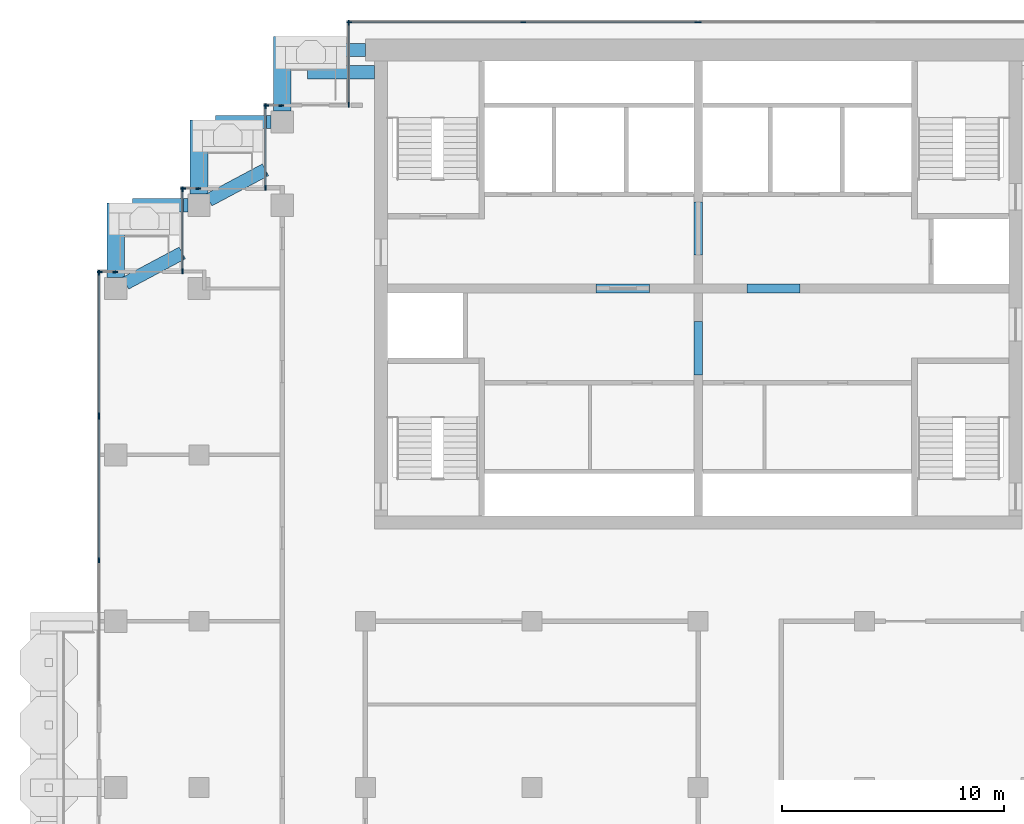
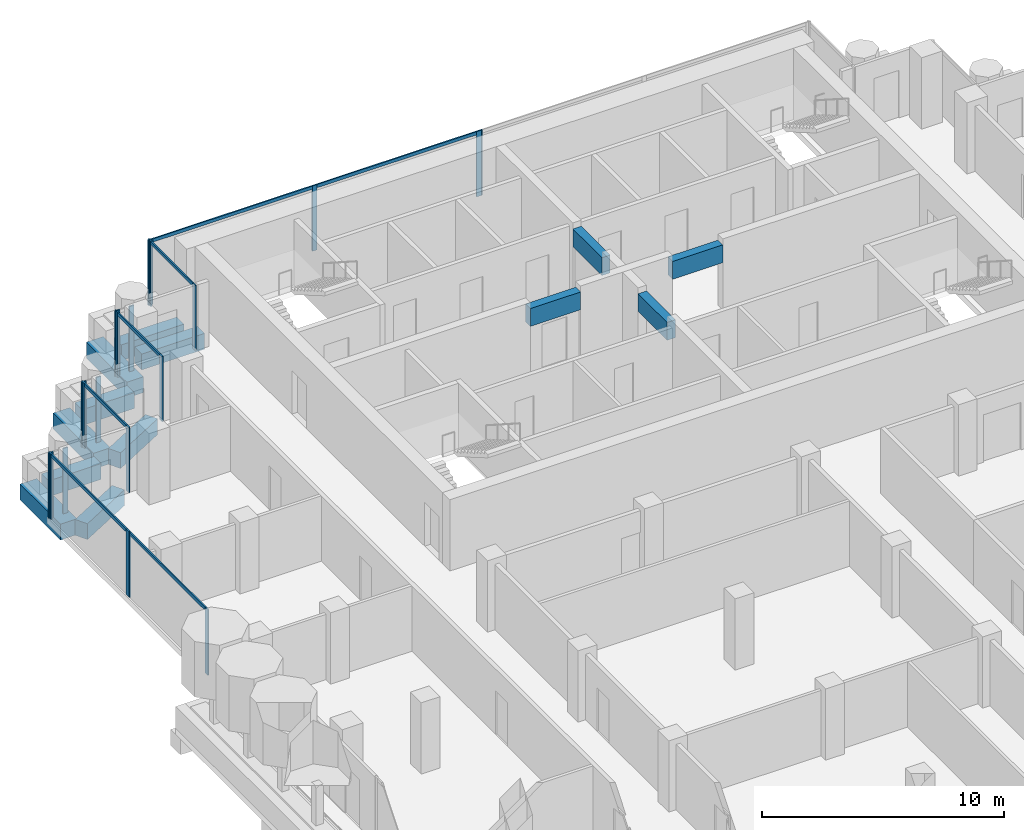
# One storey, part 5 of 18: 27 members, 13 beams, 10 elements without a shape of their own.
"""IFC4 building model written with IfcOpenShell, lengths in metres."""

from ifc_helpers import new_model, si_unit, direction, frame, origin, origin_2d, place, context, subcontext, project, spatial, rectangle, extrude, material, material_profile, profile_set, type_object, element, aggregate, save


model = new_model("IFC4")

# Units and contexts
model_context = context("Model", 3, precision=1e-05, world=origin(), true_north=direction((0.0, 1.0)))
body_context = subcontext(model_context, "Body", "Model", "MODEL_VIEW")
ifc_project = project(units=[si_unit("LENGTHUNIT", "METRE"), si_unit("AREAUNIT", "SQUARE_METRE"), si_unit("VOLUMEUNIT", "CUBIC_METRE"), si_unit("PLANEANGLEUNIT", "RADIAN"), si_unit("MASSUNIT", "GRAM", prefix="KILO")], contexts=[model_context])

# Site, building, storey
site_placement = place(None, origin())
site = spatial("IfcSite", under=ifc_project, at=site_placement, CompositionType="ELEMENT")
building_placement = place(site_placement, origin())
building = spatial("IfcBuilding", under=site, at=building_placement, Name="Pilkhan Gate Tower", CompositionType="ELEMENT")
storey_placement = place(building_placement, frame((0.0, 0.0, 195.89990234375)))
storey = spatial("IfcBuildingStorey", under=building, at=storey_placement, Name="L50", CompositionType="ELEMENT", Elevation=195.89990234375)

# Beams
ifc_material_1 = material(Name="Concrete C50/60", Category="concrete")
ifc_material_profile_1 = material_profile(ifc_material_1, rectangle(XDim=0.60009765625, YDim=0.800048828125, at=origin_2d()), Name="RC 600x800")
ifc_profile_set_1 = profile_set([ifc_material_profile_1], Name="Concrete C50/60")
beam_type_1 = type_object("IfcBeamType", Name="Cantilever beam CB1 RC 600x800 C50/60", PredefinedType="BEAM", material=ifc_profile_set_1)
for number, where, z_axis, x_axis, name in (
    (1, (60.0, 93.25, -0.699951171875), (-1.0, 0.0, 0.0), (0.0, -1.0, 0.0), "Balcony beam NW.2 L50"),
    (2, (60.39990234375, 92.25, -0.699951171875), (-1.0, 0.0, 0.0), (0.0, -1.0, 0.0), "Balcony beam NW.3 L50"),
):
    element("IfcBeam", number, at=place(storey_placement, frame(where, z_axis=z_axis, x_axis=x_axis)), inside=storey, type_object=beam_type_1, Name=name, PredefinedType="BEAM", context=body_context, shape_type="SweptSolid", body=[
        extrude(rectangle(XDim=0.60009765625, YDim=0.800048828125, at=origin_2d()), origin(), (0.0, 0.0, 1.0), 3.0),
    ])
beam_1_placement = place(storey_placement, frame((55.75, 90.0, -0.699951171875), z_axis=(-1.0, 0.0, 0.0), x_axis=(0.0, -1.0, 0.0)))
element("IfcBeam", 3, at=beam_1_placement, inside=storey, type_object=beam_type_1, Name="Balcony beam NW1.2 L50", PredefinedType="BEAM", context=body_context, shape_type="SweptSolid", body=[
    extrude(rectangle(XDim=0.60009765625, YDim=0.800048828125, at=origin_2d()), origin(), (0.0, 0.0, 1.0), 2.5),
])
beam_2_placement = place(storey_placement, frame((52.941162109375, 86.4853515625, -0.699951171875), z_axis=(0.882348280344, 0.470596974251, 0.0), x_axis=(-0.470596974251, 0.882348280344, 0.0)))
element("IfcBeam", 4, at=beam_2_placement, inside=storey, type_object=beam_type_1, Name="Balcony beam NW1.3 L50", PredefinedType="BEAM", context=body_context, shape_type="SweptSolid", body=[
    extrude(rectangle(XDim=0.60009765625, YDim=0.800048828125, at=origin_2d()), origin(), (0.0, 0.0, 1.0), 2.900146484375),
])
beam_3_placement = place(storey_placement, frame((52.0, 86.25, -0.699951171875), z_axis=(-1.0, 0.0, 0.0), x_axis=(0.0, -1.0, 0.0)))
element("IfcBeam", 5, at=beam_3_placement, inside=storey, type_object=beam_type_1, Name="Balcony beam NW2.2 L50", PredefinedType="BEAM", context=body_context, shape_type="SweptSolid", body=[
    extrude(rectangle(XDim=0.60009765625, YDim=0.800048828125, at=origin_2d()), origin(), (0.0, 0.0, 1.0), 2.5),
])
beam_4_placement = place(storey_placement, frame((49.191162109375, 82.7353515625, -0.699951171875), z_axis=(0.882348280344, 0.470596974251, 0.0), x_axis=(-0.470596974251, 0.882348280344, 0.0)))
element("IfcBeam", 6, at=beam_4_placement, inside=storey, type_object=beam_type_1, Name="Balcony beam NW2.3 L50", PredefinedType="BEAM", context=body_context, shape_type="SweptSolid", body=[
    extrude(rectangle(XDim=0.60009765625, YDim=0.800048828125, at=origin_2d()), origin(), (0.0, 0.0, 1.0), 2.900146484375),
])
ifc_material_profile_2 = material_profile(ifc_material_1, rectangle(XDim=0.800048828125, YDim=0.800048828125, at=origin_2d()), Name="RC 800x800")
ifc_profile_set_2 = profile_set([ifc_material_profile_2], Name="Concrete C50/60")
beam_type_2 = type_object("IfcBeamType", Name="Cantilever beam CB2 RC 800x800 C50/60", PredefinedType="BEAM", material=ifc_profile_set_2)
for number, where, z_axis, x_axis, name in (
    (7, (56.25, 90.5, -0.699951171875), (0.0, 1.0, 0.0), (-1.0, 0.0, 0.0), "Balcony beam NW.1 L50"),
    (8, (52.5, 86.75, -0.699951171875), (0.0, 1.0, 0.0), (-1.0, 0.0, 0.0), "Balcony beam NW1.1 L50"),
    (9, (48.75, 83.0, -0.699951171875), (0.0, 1.0, 0.0), (-1.0, 0.0, 0.0), "Balcony beam NW2.1 L50"),
):
    element("IfcBeam", number, at=place(storey_placement, frame(where, z_axis=z_axis, x_axis=x_axis)), inside=storey, type_object=beam_type_2, Name=name, PredefinedType="BEAM", context=body_context, shape_type="SweptSolid", body=[
        extrude(rectangle(XDim=0.800048828125, YDim=0.800048828125, at=origin_2d()), origin(), (0.0, 0.0, 1.0), 3.35009765625),
    ])
ifc_material_profile_3 = material_profile(ifc_material_1, rectangle(XDim=0.39990234375, YDim=0.89990234375, at=origin_2d()), Name="RC 400x900")
ifc_profile_set_3 = profile_set([ifc_material_profile_3], Name="Concrete C50/60")
beam_type_3 = type_object("IfcBeamType", Name="Coupling beam CB90-4 RC 400x900 C50/60", PredefinedType="LINTEL", material=ifc_profile_set_3)
for number, where, z_axis, x_axis, name in (
    (10, (70.39990234375, 82.5, 2.85009765625), (1.0, 0.0, 0.0), (0.0, 1.0, 0.0), "Coupling beam 1 L50"),
    (11, (77.199951171875, 82.5, 2.85009765625), (1.0, 0.0, 0.0), (0.0, 1.0, 0.0), "Coupling beam 2 L50"),
):
    element("IfcBeam", number, at=place(storey_placement, frame(where, z_axis=z_axis, x_axis=x_axis)), inside=storey, type_object=beam_type_3, Name=name, PredefinedType="LINTEL", context=body_context, shape_type="SweptSolid", body=[
        extrude(rectangle(XDim=0.39990234375, YDim=0.89990234375, at=origin_2d()), origin(), (0.0, 0.0, 1.0), 2.400146484375),
    ])
for number, where, z_axis, x_axis, name in (
    (12, (75.0, 78.60009765625, 2.85009765625), (0.0, 1.0, 0.0), (-1.0, 0.0, 0.0), "Coupling beam 3 L50"),
    (13, (75.0, 84.0, 2.85009765625), (0.0, 1.0, 0.0), (-1.0, 0.0, 0.0), "Coupling beam 4 L50"),
):
    element("IfcBeam", number, at=place(storey_placement, frame(where, z_axis=z_axis, x_axis=x_axis)), inside=storey, type_object=beam_type_3, Name=name, PredefinedType="LINTEL", context=body_context, shape_type="SweptSolid", body=[
        extrude(rectangle(XDim=0.39990234375, YDim=0.89990234375, at=origin_2d()), origin(), (0.0, 0.0, 1.0), 2.39990234375),
    ])

# Curtain wall, members
ifc_material_2 = material(Name="Pale anodised aluminium, clear low-iron double glazing", Category="aluminium")
curtain_wall_type = type_object("IfcCurtainWallType", Name="Office unitised curtain wall CW-O2", PredefinedType="USERDEFINED", material=ifc_material_2)
curtain_wall_1_placement = place(storey_placement, origin())
curtain_wall_1 = element("IfcCurtainWall", 14, at=curtain_wall_1_placement, inside=storey, type_object=curtain_wall_type, Name="Office unitised curtain wall CW-O2 L50 N", ObjectType="UNITISED CURTAIN WALL", PredefinedType="USERDEFINED")
ifc_material_3 = material(Name="Pale anodised aluminium", Category="aluminium")
ifc_material_profile_4 = material_profile(ifc_material_3, rectangle(XDim=0.06494140625, YDim=0.22509765625, at=origin_2d()), Name="Mullion 225x65")
ifc_profile_set_4 = profile_set([ifc_material_profile_4], Name="Pale anodised aluminium")
member_type_1 = type_object("IfcMemberType", Name="Mullion CW-O2 225x65", PredefinedType="MULLION", material=ifc_profile_set_4)
member_1_placement = place(storey_placement, frame((59.282470703125, 94.5, 0.0), z_axis=(0.0, 0.0, 1.0), x_axis=(0.0, 1.0, 0.0)))
member_1 = element("IfcMember", 15, at=member_1_placement, type_object=member_type_1, Name="CW-O2 mullion 1", PredefinedType="MULLION", context=body_context, shape_type="SweptSolid", body=[
    extrude(rectangle(XDim=0.06494140625, YDim=0.22509765625, at=origin_2d()), origin(), (0.0, 0.0, 1.0), 3.300048828125),
])
member_2_placement = place(storey_placement, frame((67.125, 94.5, 0.0), z_axis=(0.0, 0.0, 1.0), x_axis=(0.0, 1.0, 0.0)))
member_2 = element("IfcMember", 16, at=member_2_placement, type_object=member_type_1, Name="CW-O2 mullion 2", PredefinedType="MULLION", context=body_context, shape_type="SweptSolid", body=[
    extrude(rectangle(XDim=0.06494140625, YDim=0.22509765625, at=origin_2d()), origin(), (0.0, 0.0, 1.0), 3.300048828125),
])
member_3_placement = place(storey_placement, frame((74.967529296875, 94.5, 0.0), z_axis=(0.0, 0.0, 1.0), x_axis=(0.0, 1.0, 0.0)))
member_3 = element("IfcMember", 17, at=member_3_placement, type_object=member_type_1, Name="CW-O2 mullion 3", PredefinedType="MULLION", context=body_context, shape_type="SweptSolid", body=[
    extrude(rectangle(XDim=0.06494140625, YDim=0.22509765625, at=origin_2d()), origin(), (0.0, 0.0, 1.0), 3.300048828125),
])

# Curtain wall, member
curtain_wall_2_placement = place(storey_placement, origin())
curtain_wall_2 = element("IfcCurtainWall", 18, at=curtain_wall_2_placement, inside=storey, type_object=curtain_wall_type, Name="Office unitised curtain wall CW-O2 L50 N", ObjectType="UNITISED CURTAIN WALL", PredefinedType="USERDEFINED")
member_4_placement = place(storey_placement, frame((75.032470703125, 94.5, 0.0), z_axis=(0.0, 0.0, 1.0), x_axis=(0.0, 1.0, 0.0)))
member_4 = element("IfcMember", 19, at=member_4_placement, type_object=member_type_1, Name="CW-O2 mullion 1", PredefinedType="MULLION", context=body_context, shape_type="SweptSolid", body=[
    extrude(rectangle(XDim=0.06494140625, YDim=0.22509765625, at=origin_2d()), origin(), (0.0, 0.0, 1.0), 3.300048828125),
])
aggregate(curtain_wall_2, [member_4])

# Curtain wall, members
curtain_wall_3_placement = place(storey_placement, origin())
curtain_wall_3 = element("IfcCurtainWall", 20, at=curtain_wall_3_placement, inside=storey, type_object=curtain_wall_type, Name="Office unitised curtain wall CW-O2 L50 W", ObjectType="UNITISED CURTAIN WALL", PredefinedType="USERDEFINED")
member_5_placement = place(storey_placement, frame((59.25, 90.782470703125, 0.0), z_axis=(0.0, 0.0, 1.0), x_axis=(-1.0, 0.0, 0.0)))
member_5 = element("IfcMember", 21, at=member_5_placement, type_object=member_type_1, Name="CW-O2 mullion 1", PredefinedType="MULLION", context=body_context, shape_type="SweptSolid", body=[
    extrude(rectangle(XDim=0.06494140625, YDim=0.22509765625, at=origin_2d()), origin(), (0.0, 0.0, 1.0), 3.300048828125),
])
member_6_placement = place(storey_placement, frame((59.25, 94.467529296875, 0.0), z_axis=(0.0, 0.0, 1.0), x_axis=(-1.0, 0.0, 0.0)))
member_6 = element("IfcMember", 22, at=member_6_placement, type_object=member_type_1, Name="CW-O2 mullion 2", PredefinedType="MULLION", context=body_context, shape_type="SweptSolid", body=[
    extrude(rectangle(XDim=0.06494140625, YDim=0.22509765625, at=origin_2d()), origin(), (0.0, 0.0, 1.0), 3.300048828125),
])

curtain_wall_4_placement = place(storey_placement, origin())
curtain_wall_4 = element("IfcCurtainWall", 23, at=curtain_wall_4_placement, inside=storey, type_object=curtain_wall_type, Name="Office unitised curtain wall CW-O2 L50 N", ObjectType="UNITISED CURTAIN WALL", PredefinedType="USERDEFINED")
member_7_placement = place(storey_placement, frame((55.532470703125, 90.75, 0.0), z_axis=(0.0, 0.0, 1.0), x_axis=(0.0, 1.0, 0.0)))
member_7 = element("IfcMember", 24, at=member_7_placement, type_object=member_type_1, Name="CW-O2 mullion 1", PredefinedType="MULLION", context=body_context, shape_type="SweptSolid", body=[
    extrude(rectangle(XDim=0.06494140625, YDim=0.22509765625, at=origin_2d()), origin(), (0.0, 0.0, 1.0), 3.300048828125),
])
member_8_placement = place(storey_placement, frame((56.217529296875, 90.75, 0.0), z_axis=(0.0, 0.0, 1.0), x_axis=(0.0, 1.0, 0.0)))
member_8 = element("IfcMember", 25, at=member_8_placement, type_object=member_type_1, Name="CW-O2 mullion 2", PredefinedType="MULLION", context=body_context, shape_type="SweptSolid", body=[
    extrude(rectangle(XDim=0.06494140625, YDim=0.22509765625, at=origin_2d()), origin(), (0.0, 0.0, 1.0), 3.300048828125),
])
aggregate(curtain_wall_4, [member_7, member_8])

curtain_wall_5_placement = place(storey_placement, origin())
curtain_wall_5 = element("IfcCurtainWall", 26, at=curtain_wall_5_placement, inside=storey, type_object=curtain_wall_type, Name="Office unitised curtain wall CW-O2 L50 W", ObjectType="UNITISED CURTAIN WALL", PredefinedType="USERDEFINED")
member_9_placement = place(storey_placement, frame((55.5, 87.032470703125, 0.0), z_axis=(0.0, 0.0, 1.0), x_axis=(-1.0, 0.0, 0.0)))
member_9 = element("IfcMember", 27, at=member_9_placement, type_object=member_type_1, Name="CW-O2 mullion 1", PredefinedType="MULLION", context=body_context, shape_type="SweptSolid", body=[
    extrude(rectangle(XDim=0.06494140625, YDim=0.22509765625, at=origin_2d()), origin(), (0.0, 0.0, 1.0), 3.300048828125),
])
member_10_placement = place(storey_placement, frame((55.5, 90.717529296875, 0.0), z_axis=(0.0, 0.0, 1.0), x_axis=(-1.0, 0.0, 0.0)))
member_10 = element("IfcMember", 28, at=member_10_placement, type_object=member_type_1, Name="CW-O2 mullion 2", PredefinedType="MULLION", context=body_context, shape_type="SweptSolid", body=[
    extrude(rectangle(XDim=0.06494140625, YDim=0.22509765625, at=origin_2d()), origin(), (0.0, 0.0, 1.0), 3.300048828125),
])

curtain_wall_6_placement = place(storey_placement, origin())
curtain_wall_6 = element("IfcCurtainWall", 29, at=curtain_wall_6_placement, inside=storey, type_object=curtain_wall_type, Name="Office unitised curtain wall CW-O2 L50 N", ObjectType="UNITISED CURTAIN WALL", PredefinedType="USERDEFINED")
member_11_placement = place(storey_placement, frame((51.782470703125, 87.0, 0.0), z_axis=(0.0, 0.0, 1.0), x_axis=(0.0, 1.0, 0.0)))
member_11 = element("IfcMember", 30, at=member_11_placement, type_object=member_type_1, Name="CW-O2 mullion 1", PredefinedType="MULLION", context=body_context, shape_type="SweptSolid", body=[
    extrude(rectangle(XDim=0.06494140625, YDim=0.22509765625, at=origin_2d()), origin(), (0.0, 0.0, 1.0), 3.300048828125),
])
member_12_placement = place(storey_placement, frame((52.467529296875, 87.0, 0.0), z_axis=(0.0, 0.0, 1.0), x_axis=(0.0, 1.0, 0.0)))
member_12 = element("IfcMember", 31, at=member_12_placement, type_object=member_type_1, Name="CW-O2 mullion 2", PredefinedType="MULLION", context=body_context, shape_type="SweptSolid", body=[
    extrude(rectangle(XDim=0.06494140625, YDim=0.22509765625, at=origin_2d()), origin(), (0.0, 0.0, 1.0), 3.300048828125),
])
aggregate(curtain_wall_6, [member_11, member_12])

curtain_wall_7_placement = place(storey_placement, origin())
curtain_wall_7 = element("IfcCurtainWall", 32, at=curtain_wall_7_placement, inside=storey, type_object=curtain_wall_type, Name="Office unitised curtain wall CW-O2 L50 W", ObjectType="UNITISED CURTAIN WALL", PredefinedType="USERDEFINED")
member_13_placement = place(storey_placement, frame((51.75, 83.282470703125, 0.0), z_axis=(0.0, 0.0, 1.0), x_axis=(-1.0, 0.0, 0.0)))
member_13 = element("IfcMember", 33, at=member_13_placement, type_object=member_type_1, Name="CW-O2 mullion 1", PredefinedType="MULLION", context=body_context, shape_type="SweptSolid", body=[
    extrude(rectangle(XDim=0.06494140625, YDim=0.22509765625, at=origin_2d()), origin(), (0.0, 0.0, 1.0), 3.300048828125),
])
member_14_placement = place(storey_placement, frame((51.75, 86.967529296875, 0.0), z_axis=(0.0, 0.0, 1.0), x_axis=(-1.0, 0.0, 0.0)))
member_14 = element("IfcMember", 34, at=member_14_placement, type_object=member_type_1, Name="CW-O2 mullion 2", PredefinedType="MULLION", context=body_context, shape_type="SweptSolid", body=[
    extrude(rectangle(XDim=0.06494140625, YDim=0.22509765625, at=origin_2d()), origin(), (0.0, 0.0, 1.0), 3.300048828125),
])

curtain_wall_8_placement = place(storey_placement, origin())
curtain_wall_8 = element("IfcCurtainWall", 35, at=curtain_wall_8_placement, inside=storey, type_object=curtain_wall_type, Name="Office unitised curtain wall CW-O2 L50 N", ObjectType="UNITISED CURTAIN WALL", PredefinedType="USERDEFINED")
member_15_placement = place(storey_placement, frame((48.032470703125, 83.25, 0.0), z_axis=(0.0, 0.0, 1.0), x_axis=(0.0, 1.0, 0.0)))
member_15 = element("IfcMember", 36, at=member_15_placement, type_object=member_type_1, Name="CW-O2 mullion 1", PredefinedType="MULLION", context=body_context, shape_type="SweptSolid", body=[
    extrude(rectangle(XDim=0.06494140625, YDim=0.22509765625, at=origin_2d()), origin(), (0.0, 0.0, 1.0), 3.300048828125),
])
member_16_placement = place(storey_placement, frame((48.717529296875, 83.25, 0.0), z_axis=(0.0, 0.0, 1.0), x_axis=(0.0, 1.0, 0.0)))
member_16 = element("IfcMember", 37, at=member_16_placement, type_object=member_type_1, Name="CW-O2 mullion 2", PredefinedType="MULLION", context=body_context, shape_type="SweptSolid", body=[
    extrude(rectangle(XDim=0.06494140625, YDim=0.22509765625, at=origin_2d()), origin(), (0.0, 0.0, 1.0), 3.300048828125),
])
aggregate(curtain_wall_8, [member_15, member_16])

curtain_wall_9_placement = place(storey_placement, origin())
curtain_wall_9 = element("IfcCurtainWall", 38, at=curtain_wall_9_placement, inside=storey, type_object=curtain_wall_type, Name="Office unitised curtain wall CW-O2 L50 W", ObjectType="UNITISED CURTAIN WALL", PredefinedType="USERDEFINED")
member_17_placement = place(storey_placement, frame((48.0, 70.25, 0.0), z_axis=(0.0, 0.0, 1.0), x_axis=(-1.0, 0.0, 0.0)))
member_17 = element("IfcMember", 39, at=member_17_placement, type_object=member_type_1, Name="CW-O2 mullion 2", PredefinedType="MULLION", context=body_context, shape_type="SweptSolid", body=[
    extrude(rectangle(XDim=0.06494140625, YDim=0.22509765625, at=origin_2d()), origin(), (0.0, 0.0, 1.0), 3.300048828125),
])
member_18_placement = place(storey_placement, frame((48.0, 76.717529296875, 0.0), z_axis=(0.0, 0.0, 1.0), x_axis=(-1.0, 0.0, 0.0)))
member_18 = element("IfcMember", 40, at=member_18_placement, type_object=member_type_1, Name="CW-O2 mullion 3", PredefinedType="MULLION", context=body_context, shape_type="SweptSolid", body=[
    extrude(rectangle(XDim=0.06494140625, YDim=0.22509765625, at=origin_2d()), origin(), (0.0, 0.0, 1.0), 3.300048828125),
])

curtain_wall_10_placement = place(storey_placement, origin())
curtain_wall_10 = element("IfcCurtainWall", 41, at=curtain_wall_10_placement, inside=storey, type_object=curtain_wall_type, Name="Office unitised curtain wall CW-O2 L50 W", ObjectType="UNITISED CURTAIN WALL", PredefinedType="USERDEFINED")
member_19_placement = place(storey_placement, frame((48.0, 76.782470703125, 0.0), z_axis=(0.0, 0.0, 1.0), x_axis=(-1.0, 0.0, 0.0)))
member_19 = element("IfcMember", 42, at=member_19_placement, type_object=member_type_1, Name="CW-O2 mullion 1", PredefinedType="MULLION", context=body_context, shape_type="SweptSolid", body=[
    extrude(rectangle(XDim=0.06494140625, YDim=0.22509765625, at=origin_2d()), origin(), (0.0, 0.0, 1.0), 3.300048828125),
])
member_20_placement = place(storey_placement, frame((48.0, 83.217529296875, 0.0), z_axis=(0.0, 0.0, 1.0), x_axis=(-1.0, 0.0, 0.0)))
member_20 = element("IfcMember", 43, at=member_20_placement, type_object=member_type_1, Name="CW-O2 mullion 2", PredefinedType="MULLION", context=body_context, shape_type="SweptSolid", body=[
    extrude(rectangle(XDim=0.06494140625, YDim=0.22509765625, at=origin_2d()), origin(), (0.0, 0.0, 1.0), 3.300048828125),
])

# Member
ifc_material_profile_5 = material_profile(ifc_material_3, rectangle(XDim=0.06494140625, YDim=0.1650390625, at=origin_2d()), Name="Transom 165x65")
ifc_profile_set_5 = profile_set([ifc_material_profile_5], Name="Pale anodised aluminium")
member_type_2 = type_object("IfcMemberType", Name="Transom CW-O2 165x65", PredefinedType="USERDEFINED", material=ifc_profile_set_5)
member_21_placement = place(storey_placement, frame((59.31494140625, 94.5, 3.217529296875), z_axis=(1.0, 0.0, 0.0), x_axis=(0.0, 1.0, 0.0)))
member_21 = element("IfcMember", 44, at=member_21_placement, type_object=member_type_2, Name="CW-O2 transom 1", ObjectType="TRANSOM", PredefinedType="USERDEFINED", context=body_context, shape_type="SweptSolid", body=[
    extrude(rectangle(XDim=0.06494140625, YDim=0.1650390625, at=origin_2d()), origin(), (0.0, 0.0, 1.0), 7.777587890625),
])

member_22_placement = place(storey_placement, frame((67.157470703125, 94.5, 3.217529296875), z_axis=(1.0, 0.0, 0.0), x_axis=(0.0, 1.0, 0.0)))
member_22 = element("IfcMember", 45, at=member_22_placement, type_object=member_type_2, Name="CW-O2 transom 2", ObjectType="TRANSOM", PredefinedType="USERDEFINED", context=body_context, shape_type="SweptSolid", body=[
    extrude(rectangle(XDim=0.06494140625, YDim=0.1650390625, at=origin_2d()), origin(), (0.0, 0.0, 1.0), 7.777587890625),
])

aggregate(curtain_wall_1, [member_1, member_2, member_3, member_21, member_22])

member_23_placement = place(storey_placement, frame((59.25, 90.81494140625, 3.217529296875), z_axis=(0.0, 1.0, 0.0), x_axis=(-1.0, 0.0, 0.0)))
member_23 = element("IfcMember", 46, at=member_23_placement, type_object=member_type_2, Name="CW-O2 transom 1", ObjectType="TRANSOM", PredefinedType="USERDEFINED", context=body_context, shape_type="SweptSolid", body=[
    extrude(rectangle(XDim=0.06494140625, YDim=0.1650390625, at=origin_2d()), origin(), (0.0, 0.0, 1.0), 3.6201171875),
])

aggregate(curtain_wall_3, [member_5, member_6, member_23])

member_24_placement = place(storey_placement, frame((55.5, 87.06494140625, 3.217529296875), z_axis=(0.0, 1.0, 0.0), x_axis=(-1.0, 0.0, 0.0)))
member_24 = element("IfcMember", 47, at=member_24_placement, type_object=member_type_2, Name="CW-O2 transom 1", ObjectType="TRANSOM", PredefinedType="USERDEFINED", context=body_context, shape_type="SweptSolid", body=[
    extrude(rectangle(XDim=0.06494140625, YDim=0.1650390625, at=origin_2d()), origin(), (0.0, 0.0, 1.0), 3.6201171875),
])

aggregate(curtain_wall_5, [member_9, member_10, member_24])

member_25_placement = place(storey_placement, frame((51.75, 83.31494140625, 3.217529296875), z_axis=(0.0, 1.0, 0.0), x_axis=(-1.0, 0.0, 0.0)))
member_25 = element("IfcMember", 48, at=member_25_placement, type_object=member_type_2, Name="CW-O2 transom 1", ObjectType="TRANSOM", PredefinedType="USERDEFINED", context=body_context, shape_type="SweptSolid", body=[
    extrude(rectangle(XDim=0.06494140625, YDim=0.1650390625, at=origin_2d()), origin(), (0.0, 0.0, 1.0), 3.6201171875),
])

aggregate(curtain_wall_7, [member_13, member_14, member_25])

member_26_placement = place(storey_placement, frame((48.0, 70.282470703125, 3.217529296875), z_axis=(0.0, 1.0, 0.0), x_axis=(-1.0, 0.0, 0.0)))
member_26 = element("IfcMember", 49, at=member_26_placement, type_object=member_type_2, Name="CW-O2 transom 2", ObjectType="TRANSOM", PredefinedType="USERDEFINED", context=body_context, shape_type="SweptSolid", body=[
    extrude(rectangle(XDim=0.06494140625, YDim=0.1650390625, at=origin_2d()), origin(), (0.0, 0.0, 1.0), 6.402587890625),
])

aggregate(curtain_wall_9, [member_17, member_18, member_26])

member_27_placement = place(storey_placement, frame((48.0, 76.81494140625, 3.217529296875), z_axis=(0.0, 1.0, 0.0), x_axis=(-1.0, 0.0, 0.0)))
member_27 = element("IfcMember", 50, at=member_27_placement, type_object=member_type_2, Name="CW-O2 transom 1", ObjectType="TRANSOM", PredefinedType="USERDEFINED", context=body_context, shape_type="SweptSolid", body=[
    extrude(rectangle(XDim=0.06494140625, YDim=0.1650390625, at=origin_2d()), origin(), (0.0, 0.0, 1.0), 6.3701171875),
])

aggregate(curtain_wall_10, [member_19, member_20, member_27])

save(model, "model.ifc")
